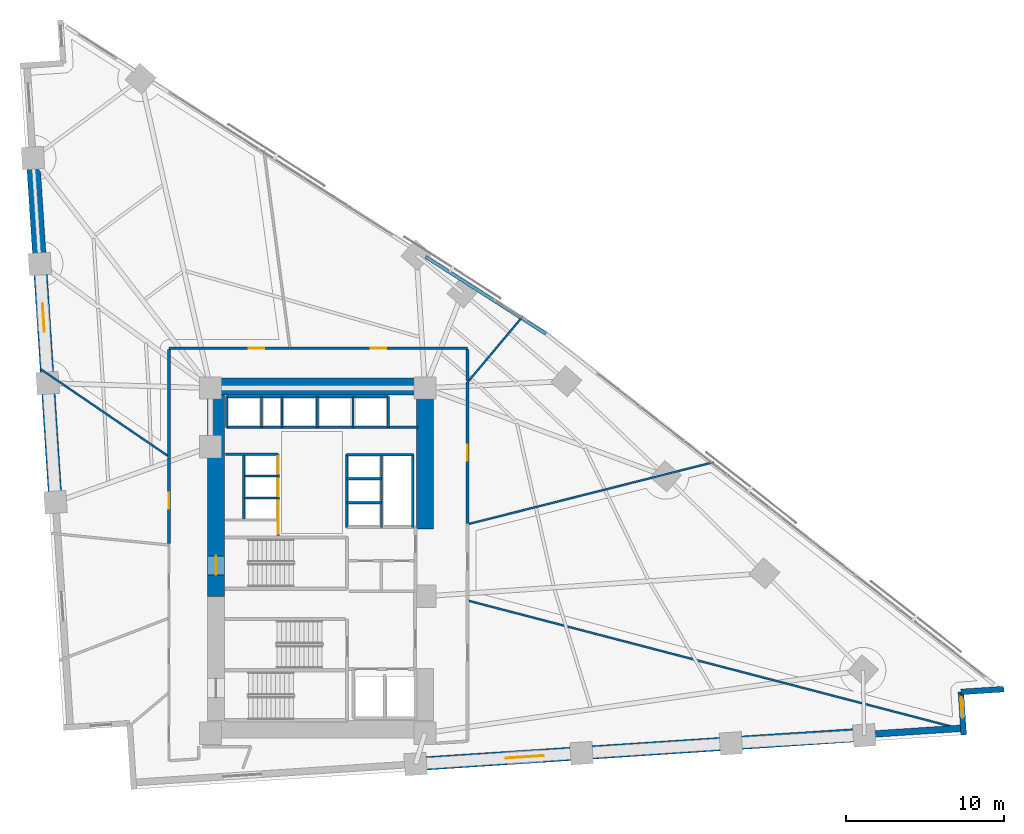
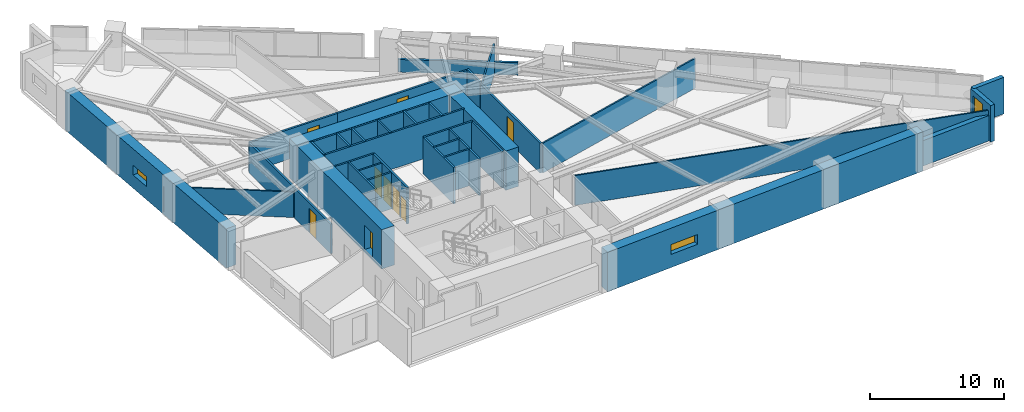
# One storey, part 13 of 16: 39 walls, 9 doors, 3 windows, 12 openings.
"""IFC4 building model written with IfcOpenShell, lengths in metres."""

from ifc_helpers import new_model, si_unit, direction, frame, frame_2d, origin, place, context, subcontext, project, spatial, rectangle, extrude, material, layer, layer_set, type_object, element, fill, save


model = new_model("IFC4")

# Units and contexts
model_context = context("Model", 3, precision=1e-05, world=origin(), true_north=direction((0.0, 1.0)))
body_context = subcontext(model_context, "Body", "Model", "MODEL_VIEW")
ifc_project = project(units=[si_unit("LENGTHUNIT", "METRE"), si_unit("AREAUNIT", "SQUARE_METRE"), si_unit("VOLUMEUNIT", "CUBIC_METRE"), si_unit("PLANEANGLEUNIT", "RADIAN"), si_unit("MASSUNIT", "GRAM", prefix="KILO")], contexts=[model_context])

# Site, building, storey
site_placement = place(None, origin())
site = spatial("IfcSite", under=ifc_project, at=site_placement, CompositionType="ELEMENT")
building_placement = place(site_placement, origin())
building = spatial("IfcBuilding", under=site, at=building_placement, Name="Narakoshi Arena Tower", CompositionType="ELEMENT")
storey_placement = place(building_placement, frame((0.0, 0.0, 66.89990234375)))
storey = spatial("IfcBuildingStorey", under=building, at=storey_placement, Name="L17", CompositionType="ELEMENT", Elevation=66.89990234375)

# Wall, opening, door
ifc_material_1 = material(Name="Concrete C60/75", Category="concrete")
ifc_layer_1 = layer(ifc_material_1, 1.10009765625)
ifc_layer_set_1 = layer_set([ifc_layer_1], Name="Concrete C60/75")
wall_type_1 = type_object("IfcWallType", Name="WL-CORE-1100", PredefinedType="SHEAR", material=ifc_layer_set_1)
wall_1_placement = place(storey_placement, frame((72.35009765625, 43.35009765625, -0.260009765625), z_axis=(0.0, 0.0, 1.0), x_axis=(0.0, 1.0, 0.0)))
wall_1 = element("IfcWall", 1, at=wall_1_placement, inside=storey, type_object=wall_type_1, Name="L17 Main Core Shear Wall CW-MN-W", PredefinedType="SHEAR", context=body_context, shape_type="SweptSolid", body=[
    extrude(rectangle(XDim=12.699951171875, YDim=1.10009765625, at=frame_2d((6.35009765625, 0.0))), origin(), (0.0, 0.0, 1.0), 3.60009765625),
])
opening_1_placement = place(wall_1_placement, frame((1.35009765625, 0.0, 0.260009765625)))
opening_1 = element("IfcOpeningElement", 2, at=opening_1_placement, cuts=wall_1, Name="Opening D-03", PredefinedType="OPENING", context=body_context, shape_type="SweptSolid", body=[
    extrude(rectangle(XDim=1.199951171875, YDim=2.199951171875, at=frame_2d((0.60009765625, 1.10009765625))), frame((0.0, 0.56005859375, 0.0), z_axis=(0.0, -1.0, 0.0), x_axis=(1.0, 0.0, 0.0)), (0.0, 0.0, 1.0), 1.1201171875),
])
ifc_material_2 = material(Name="Painted galvanized steel", Category="steel")
door_type_1 = type_object("IfcDoorType", Name="DR-STR-1200", OperationType="NOTDEFINED", PredefinedType="USERDEFINED", material=ifc_material_2)
door_1_placement = place(opening_1_placement, frame((1.199951171875, 0.0, 0.0), z_axis=(0.0, 0.0, 1.0), x_axis=(-1.0, 0.0, 0.0)))
door_1 = element("IfcDoor", 3, at=door_1_placement, inside=storey, type_object=door_type_1, Name="DR-L17-006", ObjectType="EXITDOOR", OperationType="SINGLE_SWING_LEFT", OverallHeight=2.199951171875, OverallWidth=1.199951171875, PredefinedType="USERDEFINED", context=body_context, shape_type="SweptSolid", body=[
    extrude(rectangle(XDim=1.199951171875, YDim=2.199951171875, at=frame_2d((0.60009765625, 1.10009765625))), frame((0.0, 0.02490234375, 0.0), z_axis=(0.0, -1.0, 0.0), x_axis=(1.0, 0.0, 0.0)), (0.0, 0.0, 1.0), 0.050048828125),
])
fill(opening_1, door_1)

# Walls
wall_2_placement = place(storey_placement, frame((71.800048828125, 56.60009765625, -0.260009765625), z_axis=(0.0, 0.0, 1.0), x_axis=(1.0, 0.0, 0.0)))
element("IfcWall", 4, at=wall_2_placement, inside=storey, type_object=wall_type_1, Name="L17 Main Core Shear Wall CW-MN-N", PredefinedType="SHEAR", context=body_context, shape_type="SweptSolid", body=[
    extrude(rectangle(XDim=14.300048828125, YDim=1.10009765625, at=frame_2d((7.14990234375, 0.0))), origin(), (0.0, 0.0, 1.0), 3.60009765625),
])
wall_3_placement = place(storey_placement, frame((85.550048828125, 47.60009765625, -0.260009765625), z_axis=(0.0, 0.0, 1.0), x_axis=(0.0, 1.0, 0.0)))
element("IfcWall", 5, at=wall_3_placement, inside=storey, type_object=wall_type_1, Name="L17 Main Core Shear Wall CW-MN-E", PredefinedType="SHEAR", context=body_context, shape_type="SweptSolid", body=[
    extrude(rectangle(XDim=8.449951171875, YDim=1.10009765625, at=frame_2d((4.22509765625, 0.0))), origin(), (0.0, 0.0, 1.0), 3.60009765625),
])

# Wall, opening, door
ifc_material_3 = material(Name="Gypsum plasterboard fire-rated partition")
ifc_layer_2 = layer(ifc_material_3, 0.1650390625)
ifc_layer_set_2 = layer_set([ifc_layer_2], Name="Gypsum plasterboard fire-rated partition")
wall_type_2 = type_object("IfcWallType", Name="WL-CORR-165", PredefinedType="PARTITIONING", material=ifc_layer_set_2)
wall_4_placement = place(storey_placement, frame((88.237548828125, 47.956787109375, 0.0), z_axis=(0.0, 0.0, 1.0), x_axis=(0.0, 1.0, 0.0)))
wall_4 = element("IfcWall", 6, at=wall_4_placement, inside=storey, type_object=wall_type_2, Name="L17 Corridor Partition 06-1", PredefinedType="PARTITIONING", context=body_context, shape_type="SweptSolid", body=[
    extrude(rectangle(XDim=8.931640625, YDim=0.1650390625, at=frame_2d((4.4658203125, 0.0))), origin(), (0.0, 0.0, 1.0), 2.72509765625),
])
opening_2_placement = place(wall_4_placement, frame((3.9658203125, 0.0, 0.0)))
opening_2 = element("IfcOpeningElement", 7, at=opening_2_placement, cuts=wall_4, Name="Opening D-06", PredefinedType="OPENING", context=body_context, shape_type="SweptSolid", body=[
    extrude(rectangle(XDim=1.0, YDim=2.199951171875, at=frame_2d((0.5, 1.10009765625))), frame((0.0, 0.092529296875, 0.0), z_axis=(0.0, -1.0, 0.0), x_axis=(1.0, 0.0, 0.0)), (0.0, 0.0, 1.0), 0.18505859375),
])
ifc_material_4 = material(Name="Stained oak solid-core timber", Category="wood")
door_type_2 = type_object("IfcDoorType", Name="DR-OFF-1000", OperationType="NOTDEFINED", PredefinedType="DOOR", material=ifc_material_4)
door_2_placement = place(opening_2_placement, frame((1.0, 0.0, 0.0), z_axis=(0.0, 0.0, 1.0), x_axis=(-1.0, 0.0, 0.0)))
door_2 = element("IfcDoor", 8, at=door_2_placement, inside=storey, type_object=door_type_2, Name="DR-L17-019", OperationType="SINGLE_SWING_RIGHT", OverallHeight=2.199951171875, OverallWidth=1.0, PredefinedType="DOOR", context=body_context, shape_type="SweptSolid", body=[
    extrude(rectangle(XDim=1.0, YDim=2.199951171875, at=frame_2d((0.5, 1.10009765625))), frame((0.0, 0.02490234375, 0.0), z_axis=(0.0, -1.0, 0.0), x_axis=(1.0, 0.0, 0.0)), (0.0, 0.0, 1.0), 0.050048828125),
])
fill(opening_2, door_2)

wall_5_placement = place(storey_placement, frame((88.237548828125, 59.02001953125, 0.0), z_axis=(0.0, 0.0, 1.0), x_axis=(-1.0, 0.0, 0.0)))
wall_5 = element("IfcWall", 9, at=wall_5_placement, inside=storey, type_object=wall_type_2, Name="L17 Corridor Partition 07-1", PredefinedType="PARTITIONING", context=body_context, shape_type="SweptSolid", body=[
    extrude(rectangle(XDim=11.251953125, YDim=0.1650390625, at=frame_2d((5.6259765625, 0.0))), origin(), (0.0, 0.0, 1.0), 2.72509765625),
])
opening_3_placement = place(wall_5_placement, frame((5.1259765625, 0.0, 0.0)))
opening_3 = element("IfcOpeningElement", 10, at=opening_3_placement, cuts=wall_5, Name="Opening D-06", PredefinedType="OPENING", context=body_context, shape_type="SweptSolid", body=[
    extrude(rectangle(XDim=1.0, YDim=2.199951171875, at=frame_2d((0.5, 1.10009765625))), frame((0.0, 0.092529296875, 0.0), z_axis=(0.0, -1.0, 0.0), x_axis=(1.0, 0.0, 0.0)), (0.0, 0.0, 1.0), 0.18505859375),
])
door_3_placement = place(opening_3_placement, frame((1.0, 0.0, 0.0), z_axis=(0.0, 0.0, 1.0), x_axis=(-1.0, 0.0, 0.0)))
door_3 = element("IfcDoor", 11, at=door_3_placement, inside=storey, type_object=door_type_2, Name="DR-L17-020", OperationType="SINGLE_SWING_LEFT", OverallHeight=2.199951171875, OverallWidth=1.0, PredefinedType="DOOR", context=body_context, shape_type="SweptSolid", body=[
    extrude(rectangle(XDim=1.0, YDim=2.199951171875, at=frame_2d((0.5, 1.10009765625))), frame((0.0, 0.02490234375, 0.0), z_axis=(0.0, -1.0, 0.0), x_axis=(1.0, 0.0, 0.0)), (0.0, 0.0, 1.0), 0.050048828125),
])
fill(opening_3, door_3)

# Wall
wall_6_placement = place(storey_placement, frame((88.237548828125, 56.981689453125, 0.0), z_axis=(0.0, 0.0, 1.0), x_axis=(0.0, 1.0, 0.0)))
element("IfcWall", 12, at=wall_6_placement, inside=storey, type_object=wall_type_2, Name="L17 Corridor Partition 07-2", PredefinedType="PARTITIONING", context=body_context, shape_type="SweptSolid", body=[
    extrude(rectangle(XDim=1.94384765625, YDim=0.1650390625, at=frame_2d((0.971923828125, 0.0))), origin(), (0.0, 0.0, 1.0), 2.875),
])

# Wall, opening, door
wall_7_placement = place(storey_placement, frame((76.96142578125, 59.02001953125, 0.0), z_axis=(0.0, 0.0, 1.0), x_axis=(-1.0, 0.0, 0.0)))
wall_7 = element("IfcWall", 13, at=wall_7_placement, inside=storey, type_object=wall_type_2, Name="L17 Corridor Partition 08-1", PredefinedType="PARTITIONING", context=body_context, shape_type="SweptSolid", body=[
    extrude(rectangle(XDim=7.58154296875, YDim=0.1650390625, at=frame_2d((3.790771484375, 0.0))), origin(), (0.0, 0.0, 1.0), 2.72509765625),
])
opening_4_placement = place(wall_7_placement, frame((1.559814453125, 0.0, 0.0)))
opening_4 = element("IfcOpeningElement", 14, at=opening_4_placement, cuts=wall_7, Name="Opening D-06", PredefinedType="OPENING", context=body_context, shape_type="SweptSolid", body=[
    extrude(rectangle(XDim=1.0, YDim=2.199951171875, at=frame_2d((0.5, 1.10009765625))), frame((0.0, 0.092529296875, 0.0), z_axis=(0.0, -1.0, 0.0), x_axis=(1.0, 0.0, 0.0)), (0.0, 0.0, 1.0), 0.18505859375),
])
door_4_placement = place(opening_4_placement, frame((1.0, 0.0, 0.0), z_axis=(0.0, 0.0, 1.0), x_axis=(-1.0, 0.0, 0.0)))
door_4 = element("IfcDoor", 15, at=door_4_placement, inside=storey, type_object=door_type_2, Name="DR-L17-021", OperationType="SINGLE_SWING_RIGHT", OverallHeight=2.199951171875, OverallWidth=1.0, PredefinedType="DOOR", context=body_context, shape_type="SweptSolid", body=[
    extrude(rectangle(XDim=1.0, YDim=2.199951171875, at=frame_2d((0.5, 1.10009765625))), frame((0.0, 0.02490234375, 0.0), z_axis=(0.0, -1.0, 0.0), x_axis=(1.0, 0.0, 0.0)), (0.0, 0.0, 1.0), 0.050048828125),
])
fill(opening_4, door_4)

# Wall
wall_8_placement = place(storey_placement, frame((69.3798828125, 58.925537109375, 0.0), z_axis=(0.0, 0.0, 1.0), x_axis=(0.0, -1.0, 0.0)))
element("IfcWall", 16, at=wall_8_placement, inside=storey, type_object=wall_type_2, Name="L17 Corridor Partition 08-2", PredefinedType="PARTITIONING", context=body_context, shape_type="SweptSolid", body=[
    extrude(rectangle(XDim=6.800537109375, YDim=0.1650390625, at=frame_2d((3.400390625, 0.0))), origin(), (0.0, 0.0, 1.0), 2.72509765625),
])

# Wall, opening, door
wall_9_placement = place(storey_placement, frame((69.3798828125, 52.095947265625, 0.0), z_axis=(0.0, 0.0, 1.0), x_axis=(0.0, -1.0, 0.0)))
wall_9 = element("IfcWall", 17, at=wall_9_placement, inside=storey, type_object=wall_type_2, Name="L17 Corridor Partition 09-1", PredefinedType="PARTITIONING", context=body_context, shape_type="SweptSolid", body=[
    extrude(rectangle(XDim=5.424560546875, YDim=0.1650390625, at=frame_2d((2.71240234375, 0.0))), origin(), (0.0, 0.0, 1.0), 2.72509765625),
])
opening_5_placement = place(wall_9_placement, frame((2.21240234375, 0.0, 0.0)))
opening_5 = element("IfcOpeningElement", 18, at=opening_5_placement, cuts=wall_9, Name="Opening D-06", PredefinedType="OPENING", context=body_context, shape_type="SweptSolid", body=[
    extrude(rectangle(XDim=1.0, YDim=2.199951171875, at=frame_2d((0.5, 1.10009765625))), frame((0.0, 0.092529296875, 0.0), z_axis=(0.0, -1.0, 0.0), x_axis=(1.0, 0.0, 0.0)), (0.0, 0.0, 1.0), 0.18505859375),
])
door_5_placement = place(opening_5_placement, frame((1.0, 0.0, 0.0), z_axis=(0.0, 0.0, 1.0), x_axis=(-1.0, 0.0, 0.0)))
door_5 = element("IfcDoor", 19, at=door_5_placement, inside=storey, type_object=door_type_2, Name="DR-L17-022", OperationType="SINGLE_SWING_LEFT", OverallHeight=2.199951171875, OverallWidth=1.0, PredefinedType="DOOR", context=body_context, shape_type="SweptSolid", body=[
    extrude(rectangle(XDim=1.0, YDim=2.199951171875, at=frame_2d((0.5, 1.10009765625))), frame((0.0, 0.02490234375, 0.0), z_axis=(0.0, -1.0, 0.0), x_axis=(1.0, 0.0, 0.0)), (0.0, 0.0, 1.0), 0.050048828125),
])
fill(opening_5, door_5)

# Wall, opening, window
ifc_layer_3 = layer(ifc_material_1, 0.85009765625)
ifc_layer_set_3 = layer_set([ifc_layer_3], Name="Concrete C60/75")
wall_type_3 = type_object("IfcWallType", Name="WL-LEG-850", PredefinedType="SHEAR", material=ifc_layer_set_3)
wall_10_placement = place(storey_placement, frame((84.95703125, 32.7509765625, -0.260009765625), z_axis=(0.0, 0.0, 1.0), x_axis=(0.997859046449, 0.065401249368, 0.0)))
wall_10 = element("IfcWall", 20, at=wall_10_placement, inside=storey, type_object=wall_type_3, Name="L17 Architectural Concrete Structural Wall LEGA-2", PredefinedType="SHEAR", context=body_context, shape_type="SweptSolid", body=[
    extrude(rectangle(XDim=28.400390625, YDim=0.85009765625, at=frame_2d((14.2001953125, 0.0))), origin(), (0.0, 0.0, 1.0), 3.60009765625),
])
opening_6_placement = place(wall_10_placement, frame((5.699951171875, 0.0, 1.199951171875)))
opening_6 = element("IfcOpeningElement", 21, at=opening_6_placement, cuts=wall_10, Name="Opening WN-01", PredefinedType="OPENING", context=body_context, shape_type="SweptSolid", body=[
    extrude(rectangle(XDim=2.39990234375, YDim=0.89990234375, at=frame_2d((1.199951171875, 0.449951171875))), frame((0.0, 0.43505859375, 0.0), z_axis=(0.0, -1.0, 0.0), x_axis=(1.0, 0.0, 0.0)), (0.0, 0.0, 1.0), 0.8701171875),
])
ifc_material_5 = material(Name="Bronze-tinted low-E laminated glass", Category="glass")
window_type_1 = type_object("IfcWindowType", Name="WIN-SLT-24x09", PartitioningType="SINGLE_PANEL", PredefinedType="WINDOW", material=ifc_material_5)
window_1_placement = place(opening_6_placement, origin())
window_1 = element("IfcWindow", 22, at=window_1_placement, inside=storey, type_object=window_type_1, Name="L17 LEGA2 Horizontal Slot Window 1", OverallHeight=0.89990234375, OverallWidth=2.39990234375, PartitioningType="SINGLE_PANEL", PredefinedType="WINDOW", context=body_context, shape_type="SweptSolid", body=[
    extrude(rectangle(XDim=2.39990234375, YDim=0.89990234375, at=frame_2d((1.199951171875, 0.449951171875))), frame((0.0, 0.030029296875, 0.0), z_axis=(0.0, -1.0, 0.0), x_axis=(1.0, 0.0, 0.0)), (0.0, 0.0, 1.0), 0.06005859375),
])
fill(opening_6, window_1)

wall_11_placement = place(storey_placement, frame((60.785400390625, 71.031005859375, -0.260009765625), z_axis=(0.0, 0.0, 1.0), x_axis=(0.065409824833, -0.997858484363, 0.0)))
wall_11 = element("IfcWall", 23, at=wall_11_placement, inside=storey, type_object=wall_type_3, Name="L17 Architectural Concrete Structural Wall LEGB-2", PredefinedType="SHEAR", context=body_context, shape_type="SweptSolid", body=[
    extrude(rectangle(XDim=21.78271484375, YDim=0.85009765625, at=frame_2d((10.891357421875, 0.0))), origin(), (0.0, 0.0, 1.0), 3.60009765625),
])
opening_7_placement = place(wall_11_placement, frame((9.199951171875, 0.0, 1.199951171875)))
opening_7 = element("IfcOpeningElement", 24, at=opening_7_placement, cuts=wall_11, Name="Opening WN-02", PredefinedType="OPENING", context=body_context, shape_type="SweptSolid", body=[
    extrude(rectangle(XDim=1.800048828125, YDim=0.89990234375, at=frame_2d((0.89990234375, 0.449951171875))), frame((0.0, 0.43505859375, 0.0), z_axis=(0.0, -1.0, 0.0), x_axis=(1.0, 0.0, 0.0)), (0.0, 0.0, 1.0), 0.8701171875),
])
window_type_2 = type_object("IfcWindowType", Name="WIN-SLT-18x09", PartitioningType="SINGLE_PANEL", PredefinedType="WINDOW", material=ifc_material_5)
window_2_placement = place(opening_7_placement, origin())
window_2 = element("IfcWindow", 25, at=window_2_placement, inside=storey, type_object=window_type_2, Name="L17 LEGB2 Horizontal Slot Window 1", OverallHeight=0.89990234375, OverallWidth=1.800048828125, PartitioningType="SINGLE_PANEL", PredefinedType="WINDOW", context=body_context, shape_type="SweptSolid", body=[
    extrude(rectangle(XDim=1.800048828125, YDim=0.89990234375, at=frame_2d((0.89990234375, 0.449951171875))), frame((0.0, 0.030029296875, 0.0), z_axis=(0.0, -1.0, 0.0), x_axis=(1.0, 0.0, 0.0)), (0.0, 0.0, 1.0), 0.06005859375),
])
fill(opening_7, window_2)

# Walls
ifc_material_6 = material(Name="Precast concrete C45/55", Category="concrete")
ifc_layer_4 = layer(ifc_material_6, 0.25)
ifc_layer_set_4 = layer_set([ifc_layer_4], Name="Precast concrete C45/55")
wall_type_4 = type_object("IfcWallType", Name="WL-PARA-250", PredefinedType="PARAPET", material=ifc_layer_set_4)
wall_12_placement = place(storey_placement, frame((93.176025390625, 59.93896484375, 0.0), z_axis=(0.0, 0.0, 1.0), x_axis=(-0.842413081081, 0.538832256666, 0.0)))
element("IfcWall", 26, at=wall_12_placement, inside=storey, type_object=wall_type_4, Name="L17 Hypotenuse Sill Upstand Parapet 2-01", PredefinedType="PARAPET", context=body_context, shape_type="SweptSolid", body=[
    extrude(rectangle(XDim=9.010986328125, YDim=0.199951171875, at=frame_2d((4.50537109375, 0.0))), origin(), (0.0, 0.0, 1.0), 1.150146484375),
])
ifc_layer_5 = layer(ifc_material_3, 0.125)
ifc_layer_set_5 = layer_set([ifc_layer_5], Name="Gypsum plasterboard fire-rated partition")
wall_type_5 = type_object("IfcWallType", Name="WL-PART-125", PredefinedType="PARTITIONING", material=ifc_layer_set_5)
wall_13_placement = place(storey_placement, frame((88.33203125, 43.05859375, 0.0), z_axis=(0.0, 0.0, 1.0), x_axis=(0.967710876767, -0.252062807623, 0.0)))
element("IfcWall", 27, at=wall_13_placement, inside=storey, type_object=wall_type_5, Name="L17 Inter-Room Partition 04-05", PredefinedType="PARTITIONING", context=body_context, shape_type="SweptSolid", body=[
    extrude(rectangle(XDim=32.272705078125, YDim=0.125, at=frame_2d((16.13623046875, 0.0))), origin(), (0.0, 0.0, 1.0), 2.72509765625),
])
wall_14_placement = place(storey_placement, frame((88.33203125, 47.920654296875, 0.0), z_axis=(0.0, 0.0, 1.0), x_axis=(0.969598120502, 0.244702849839, 0.0)))
element("IfcWall", 28, at=wall_14_placement, inside=storey, type_object=wall_type_5, Name="L17 Inter-Room Partition 05-06", PredefinedType="PARTITIONING", context=body_context, shape_type="SweptSolid", body=[
    extrude(rectangle(XDim=15.9521484375, YDim=0.125, at=frame_2d((7.97607421875, 0.0))), origin(), (0.0, 0.0, 1.0), 2.72509765625),
])
wall_15_placement = place(storey_placement, frame((88.25634765625, 56.888427734375, 0.0), z_axis=(0.0, 0.0, 1.0), x_axis=(0.64232418619, 0.766433062854, 0.0)))
element("IfcWall", 29, at=wall_15_placement, inside=storey, type_object=wall_type_5, Name="L17 Inter-Room Partition 06-07", PredefinedType="PARTITIONING", context=body_context, shape_type="SweptSolid", body=[
    extrude(rectangle(XDim=5.42529296875, YDim=0.125, at=frame_2d((2.712646484375, 0.0))), origin(), (0.0, 0.0, 1.0), 2.72509765625),
])
wall_16_placement = place(storey_placement, frame((69.285400390625, 52.2333984375, 0.0), z_axis=(0.0, 0.0, 1.0), x_axis=(-0.826236880882, 0.563322835211, 0.0)))
element("IfcWall", 30, at=wall_16_placement, inside=storey, type_object=wall_type_5, Name="L17 Inter-Room Partition 08-09", PredefinedType="PARTITIONING", context=body_context, shape_type="SweptSolid", body=[
    extrude(rectangle(XDim=9.74755859375, YDim=0.125, at=frame_2d((4.873779296875, 0.0))), origin(), (0.0, 0.0, 1.0), 2.3251953125),
])
ifc_layer_6 = layer(ifc_material_6, 0.419921875)
ifc_layer_set_6 = layer_set([ifc_layer_6], Name="Precast concrete C45/55")
wall_type_6 = type_object("IfcWallType", Name="WL-POD-420", PredefinedType="SOLIDWALL", material=ifc_layer_set_6)
wall_17_placement = place(storey_placement, frame((113.296630859375, 34.6083984375, 0.0), z_axis=(0.0, 0.0, 1.0), x_axis=(0.997857907016, 0.065418631945, 0.0)))
element("IfcWall", 31, at=wall_17_placement, inside=storey, type_object=wall_type_6, Name="L17 Architectural Concrete Facade Wall LEGA-3", PredefinedType="SOLIDWALL", context=body_context, shape_type="SweptSolid", body=[
    extrude(rectangle(XDim=6.2734375, YDim=0.419921875, at=frame_2d((3.13671875, 0.0))), origin(), (0.0, 0.0, 1.0), 2.3251953125),
])

# Wall, opening, window
wall_18_placement = place(storey_placement, frame((119.58447265625, 34.594482421875, 0.0), z_axis=(0.0, 0.0, 1.0), x_axis=(-0.065427374496, 0.997857333824, 0.0)))
wall_18 = element("IfcWall", 32, at=wall_18_placement, inside=storey, type_object=wall_type_6, Name="L17 Re-Entrant Corner Notch Wall NTE-1", PredefinedType="SOLIDWALL", context=body_context, shape_type="SweptSolid", body=[
    extrude(rectangle(XDim=2.716552734375, YDim=0.360107421875, at=frame_2d((1.3583984375, 0.0))), origin(), (0.0, 0.0, 1.0), 3.340087890625),
])
opening_8_placement = place(wall_18_placement, frame((1.076416015625, 0.0, 0.449951171875)))
opening_8 = element("IfcOpeningElement", 33, at=opening_8_placement, cuts=wall_18, Name="Opening WN-06", PredefinedType="OPENING", context=body_context, shape_type="SweptSolid", body=[
    extrude(rectangle(XDim=1.300048828125, YDim=2.39990234375, at=frame_2d((0.64990234375, 1.199951171875))), frame((0.0, 0.18994140625, 0.0), z_axis=(0.0, -1.0, 0.0), x_axis=(1.0, 0.0, 0.0)), (0.0, 0.0, 1.0), 0.380126953125),
])
window_type_3 = type_object("IfcWindowType", Name="WIN-NTC-16x24", PartitioningType="SINGLE_PANEL", PredefinedType="WINDOW", material=ifc_material_5)
window_3_placement = place(opening_8_placement, origin())
window_3 = element("IfcWindow", 34, at=window_3_placement, inside=storey, type_object=window_type_3, Name="L17 Corner Notch Window NTE", OverallHeight=2.39990234375, OverallWidth=1.300048828125, PartitioningType="SINGLE_PANEL", PredefinedType="WINDOW", context=body_context, shape_type="SweptSolid", body=[
    extrude(rectangle(XDim=1.300048828125, YDim=2.39990234375, at=frame_2d((0.64990234375, 1.199951171875))), frame((0.0, 0.030029296875, 0.0), z_axis=(0.0, -1.0, 0.0), x_axis=(1.0, 0.0, 0.0)), (0.0, 0.0, 1.0), 0.06005859375),
])
fill(opening_8, window_3)

# Walls
wall_19_placement = place(storey_placement, frame((119.40673828125, 37.30517578125, 0.0), z_axis=(0.0, 0.0, 1.0), x_axis=(0.99785694905, 0.065433242561, 0.0)))
element("IfcWall", 35, at=wall_19_placement, inside=storey, type_object=wall_type_6, Name="L17 Re-Entrant Corner Notch Wall NTE-2", PredefinedType="SOLIDWALL", context=body_context, shape_type="SweptSolid", body=[
    extrude(rectangle(XDim=2.71630859375, YDim=0.360107421875, at=frame_2d((1.358154296875, 0.0))), origin(), (0.0, 0.0, 1.0), 3.340087890625),
])
ifc_material_7 = material(Name="Concrete C40/50", Category="concrete")
ifc_layer_7 = layer(ifc_material_7, 0.280029296875)
ifc_layer_set_7 = layer_set([ifc_layer_7], Name="Concrete C40/50")
wall_type_7 = type_object("IfcWallType", Name="WL-RISER-280", PredefinedType="PLUMBINGWALL", material=ifc_layer_set_7)
for number, where, z_axis, x_axis, name in (
    (36, (74.14990234375, 49.550048828125, 0.0), (0.0, 0.0, 1.0), (1.0, 0.0, 0.0), "L17 Core Wall LR-D1"),
    (37, (74.14990234375, 50.949951171875, 0.0), (0.0, 0.0, 1.0), (1.0, 0.0, 0.0), "L17 Core Wall LR-D2"),
):
    element("IfcWall", number, at=place(storey_placement, frame(where, z_axis=z_axis, x_axis=x_axis)), inside=storey, type_object=wall_type_7, Name=name, PredefinedType="PLUMBINGWALL", context=body_context, shape_type="SweptSolid", body=[
        extrude(rectangle(XDim=2.0400390625, YDim=0.139892578125, at=frame_2d((1.02001953125, 0.0))), origin(), (0.0, 0.0, 1.0), 3.340087890625),
    ])
wall_20_placement = place(storey_placement, frame((74.10009765625, 48.159912109375, 0.0), z_axis=(0.0, 0.0, 1.0), x_axis=(0.0, 1.0, 0.0)))
element("IfcWall", 38, at=wall_20_placement, inside=storey, type_object=wall_type_7, Name="L17 Core Wall LR-W", PredefinedType="PLUMBINGWALL", context=body_context, shape_type="SweptSolid", body=[
    extrude(rectangle(XDim=4.16015625, YDim=0.139892578125, at=frame_2d((2.080078125, 0.0))), origin(), (0.0, 0.0, 1.0), 3.340087890625),
])
for number, where, z_axis, x_axis, name in (
    (39, (80.60009765625, 49.260009765625, 0.0), (0.0, 0.0, 1.0), (1.0, 0.0, 0.0), "L17 Core Wall MR-D1"),
    (40, (80.60009765625, 50.780029296875, 0.0), (0.0, 0.0, 1.0), (1.0, 0.0, 0.0), "L17 Core Wall MR-D2"),
):
    element("IfcWall", number, at=place(storey_placement, frame(where, z_axis=z_axis, x_axis=x_axis)), inside=storey, type_object=wall_type_7, Name=name, PredefinedType="PLUMBINGWALL", context=body_context, shape_type="SweptSolid", body=[
        extrude(rectangle(XDim=2.199951171875, YDim=0.14990234375, at=frame_2d((1.10009765625, 0.0))), origin(), (0.0, 0.0, 1.0), 3.340087890625),
    ])
wall_21_placement = place(storey_placement, frame((82.800048828125, 47.699951171875, 0.0), z_axis=(0.0, 0.0, 1.0), x_axis=(0.0, 1.0, 0.0)))
element("IfcWall", 41, at=wall_21_placement, inside=storey, type_object=wall_type_7, Name="L17 Core Wall MR-E", PredefinedType="PLUMBINGWALL", context=body_context, shape_type="SweptSolid", body=[
    extrude(rectangle(XDim=4.60009765625, YDim=0.14990234375, at=frame_2d((2.300048828125, 0.0))), origin(), (0.0, 0.0, 1.0), 3.340087890625),
])
for number, where, z_axis, x_axis, name in (
    (42, (73.02001953125, 54.02001953125, 0.0), (0.0, 0.0, 1.0), (0.0, 1.0, 0.0), "L17 Core Wall OBS-W"),
    (43, (75.219970703125, 54.02001953125, 0.0), (0.0, 0.0, 1.0), (0.0, 1.0, 0.0), "L17 Core Wall OBS-M"),
):
    element("IfcWall", number, at=place(storey_placement, frame(where, z_axis=z_axis, x_axis=x_axis)), inside=storey, type_object=wall_type_7, Name=name, PredefinedType="PLUMBINGWALL", context=body_context, shape_type="SweptSolid", body=[
        extrude(rectangle(XDim=1.93994140625, YDim=0.14990234375, at=frame_2d((0.969970703125, 0.0))), origin(), (0.0, 0.0, 1.0), 3.340087890625),
    ])
for number, where, z_axis, x_axis, name in (
    (44, (78.75, 54.02001953125, 0.0), (0.0, 0.0, 1.0), (0.0, 1.0, 0.0), "L17 Core Wall HR-D1"),
    (45, (81.0, 54.02001953125, 0.0), (0.0, 0.0, 1.0), (0.0, 1.0, 0.0), "L17 Core Wall HR-D2"),
):
    element("IfcWall", number, at=place(storey_placement, frame(where, z_axis=z_axis, x_axis=x_axis)), inside=storey, type_object=wall_type_7, Name=name, PredefinedType="PLUMBINGWALL", context=body_context, shape_type="SweptSolid", body=[
        extrude(rectangle(XDim=1.9599609375, YDim=0.14990234375, at=frame_2d((0.97998046875, 0.0))), origin(), (0.0, 0.0, 1.0), 3.340087890625),
    ])

# Wall, openings, doors
ifc_material_8 = material(Name="Concrete C50/60", Category="concrete")
ifc_layer_8 = layer(ifc_material_8, 0.35009765625)
ifc_layer_set_8 = layer_set([ifc_layer_8], Name="Concrete C50/60")
wall_type_8 = type_object("IfcWallType", Name="WL-SHAFT-350", PredefinedType="SOLIDWALL", material=ifc_layer_set_8)
wall_22_placement = place(storey_placement, frame((76.280029296875, 47.179931640625, 0.0), z_axis=(0.0, 0.0, 1.0), x_axis=(0.0, 1.0, 0.0)))
wall_22 = element("IfcWall", 46, at=wall_22_placement, inside=storey, type_object=wall_type_8, Name="L17 Core Wall LR-E", PredefinedType="SOLIDWALL", context=body_context, shape_type="SweptSolid", body=[
    extrude(rectangle(XDim=5.14013671875, YDim=0.159912109375, at=frame_2d((2.570068359375, 0.0))), origin(), (0.0, 0.0, 1.0), 3.340087890625),
])
opening_9_placement = place(wall_22_placement, frame((1.10009765625, 0.0, 0.0)))
opening_9 = element("IfcOpeningElement", 47, at=opening_9_placement, cuts=wall_22, Name="Opening LD-01", PredefinedType="OPENING", context=body_context, shape_type="SweptSolid", body=[
    extrude(rectangle(XDim=1.10009765625, YDim=2.25, at=frame_2d((0.550048828125, 1.125))), frame((0.0, 0.08984375, 0.0), z_axis=(0.0, -1.0, 0.0), x_axis=(1.0, 0.0, 0.0)), (0.0, 0.0, 1.0), 0.179931640625),
])
opening_10_placement = place(wall_22_placement, frame((2.5, 0.0, 0.0)))
opening_10 = element("IfcOpeningElement", 48, at=opening_10_placement, cuts=wall_22, Name="Opening LD-01", PredefinedType="OPENING", context=body_context, shape_type="SweptSolid", body=[
    extrude(rectangle(XDim=1.10009765625, YDim=2.25, at=frame_2d((0.550048828125, 1.125))), frame((0.0, 0.08984375, 0.0), z_axis=(0.0, -1.0, 0.0), x_axis=(1.0, 0.0, 0.0)), (0.0, 0.0, 1.0), 0.179931640625),
])
opening_11_placement = place(wall_22_placement, frame((3.89990234375, 0.0, 0.0)))
opening_11 = element("IfcOpeningElement", 49, at=opening_11_placement, cuts=wall_22, Name="Opening LD-01", PredefinedType="OPENING", context=body_context, shape_type="SweptSolid", body=[
    extrude(rectangle(XDim=1.10009765625, YDim=2.25, at=frame_2d((0.550048828125, 1.125))), frame((0.0, 0.08984375, 0.0), z_axis=(0.0, -1.0, 0.0), x_axis=(1.0, 0.0, 0.0)), (0.0, 0.0, 1.0), 0.179931640625),
])
opening_12_placement = place(wall_22_placement, frame((0.1201171875, 0.0, 0.0)))
opening_12 = element("IfcOpeningElement", 50, at=opening_12_placement, cuts=wall_22, Name="Opening D-10", PredefinedType="OPENING", context=body_context, shape_type="SweptSolid", body=[
    extrude(rectangle(XDim=0.85009765625, YDim=2.050048828125, at=frame_2d((0.425048828125, 1.02490234375))), frame((0.0, 0.08984375, 0.0), z_axis=(0.0, -1.0, 0.0), x_axis=(1.0, 0.0, 0.0)), (0.0, 0.0, 1.0), 0.179931640625),
])
ifc_material_9 = material(Name="Brushed bronze stainless steel", Category="steel")
door_type_3 = type_object("IfcDoorType", Name="DR-LFT-1100", OperationType="DOUBLE_DOOR_SLIDING", PredefinedType="DOOR", material=ifc_material_9)
door_6_placement = place(opening_9_placement, origin())
door_6 = element("IfcDoor", 51, at=door_6_placement, inside=storey, type_object=door_type_3, Name="DR-L17-010", OperationType="DOUBLE_DOOR_SLIDING", OverallHeight=2.25, OverallWidth=1.10009765625, PredefinedType="DOOR", context=body_context, shape_type="SweptSolid", body=[
    extrude(rectangle(XDim=1.10009765625, YDim=2.25, at=frame_2d((0.550048828125, 1.125))), frame((0.0, 0.02490234375, 0.0), z_axis=(0.0, -1.0, 0.0), x_axis=(1.0, 0.0, 0.0)), (0.0, 0.0, 1.0), 0.050048828125),
])
fill(opening_9, door_6)
door_7_placement = place(opening_10_placement, origin())
door_7 = element("IfcDoor", 52, at=door_7_placement, inside=storey, type_object=door_type_3, Name="DR-L17-011", OperationType="DOUBLE_DOOR_SLIDING", OverallHeight=2.25, OverallWidth=1.10009765625, PredefinedType="DOOR", context=body_context, shape_type="SweptSolid", body=[
    extrude(rectangle(XDim=1.10009765625, YDim=2.25, at=frame_2d((0.550048828125, 1.125))), frame((0.0, 0.02490234375, 0.0), z_axis=(0.0, -1.0, 0.0), x_axis=(1.0, 0.0, 0.0)), (0.0, 0.0, 1.0), 0.050048828125),
])
fill(opening_10, door_7)
door_8_placement = place(opening_11_placement, origin())
door_8 = element("IfcDoor", 53, at=door_8_placement, inside=storey, type_object=door_type_3, Name="DR-L17-012", OperationType="DOUBLE_DOOR_SLIDING", OverallHeight=2.25, OverallWidth=1.10009765625, PredefinedType="DOOR", context=body_context, shape_type="SweptSolid", body=[
    extrude(rectangle(XDim=1.10009765625, YDim=2.25, at=frame_2d((0.550048828125, 1.125))), frame((0.0, 0.02490234375, 0.0), z_axis=(0.0, -1.0, 0.0), x_axis=(1.0, 0.0, 0.0)), (0.0, 0.0, 1.0), 0.050048828125),
])
fill(opening_11, door_8)
door_type_4 = type_object("IfcDoorType", Name="DR-RSR-850", OperationType="NOTDEFINED", PredefinedType="DOOR", material=ifc_material_2)
door_9_placement = place(opening_12_placement, frame((0.85009765625, 0.0, 0.0), z_axis=(0.0, 0.0, 1.0), x_axis=(-1.0, 0.0, 0.0)))
door_9 = element("IfcDoor", 54, at=door_9_placement, inside=storey, type_object=door_type_4, Name="DR-L17-013", OperationType="SINGLE_SWING_LEFT", OverallHeight=2.050048828125, OverallWidth=0.85009765625, PredefinedType="DOOR", context=body_context, shape_type="SweptSolid", body=[
    extrude(rectangle(XDim=0.85009765625, YDim=2.050048828125, at=frame_2d((0.425048828125, 1.02490234375))), frame((0.0, 0.02490234375, 0.0), z_axis=(0.0, -1.0, 0.0), x_axis=(1.0, 0.0, 0.0)), (0.0, 0.0, 1.0), 0.050048828125),
])
fill(opening_12, door_9)

# Walls
wall_23_placement = place(storey_placement, frame((72.949951171875, 52.320068359375, 0.0), z_axis=(0.0, 0.0, 1.0), x_axis=(1.0, 0.0, 0.0)))
element("IfcWall", 55, at=wall_23_placement, inside=storey, type_object=wall_type_8, Name="L17 Core Wall LR-N", PredefinedType="SOLIDWALL", context=body_context, shape_type="SweptSolid", body=[
    extrude(rectangle(XDim=3.330078125, YDim=0.14990234375, at=frame_2d((1.6650390625, 0.0))), origin(), (0.0, 0.0, 1.0), 3.340087890625),
])
wall_24_placement = place(storey_placement, frame((80.60009765625, 47.699951171875, 0.0), z_axis=(0.0, 0.0, 1.0), x_axis=(0.0, 1.0, 0.0)))
element("IfcWall", 56, at=wall_24_placement, inside=storey, type_object=wall_type_8, Name="L17 Core Wall MR-W", PredefinedType="SOLIDWALL", context=body_context, shape_type="SweptSolid", body=[
    extrude(rectangle(XDim=4.60009765625, YDim=0.159912109375, at=frame_2d((2.300048828125, 0.0))), origin(), (0.0, 0.0, 1.0), 3.340087890625),
])
wall_25_placement = place(storey_placement, frame((80.60009765625, 52.300048828125, 0.0), z_axis=(0.0, 0.0, 1.0), x_axis=(1.0, 0.0, 0.0)))
element("IfcWall", 57, at=wall_25_placement, inside=storey, type_object=wall_type_8, Name="L17 Core Wall MR-N", PredefinedType="SOLIDWALL", context=body_context, shape_type="SweptSolid", body=[
    extrude(rectangle(XDim=4.219970703125, YDim=0.159912109375, at=frame_2d((2.10986328125, 0.0))), origin(), (0.0, 0.0, 1.0), 3.340087890625),
])
wall_26_placement = place(storey_placement, frame((84.780029296875, 47.699951171875, 0.0), z_axis=(0.0, 0.0, 1.0), x_axis=(0.0, 1.0, 0.0)))
element("IfcWall", 58, at=wall_26_placement, inside=storey, type_object=wall_type_8, Name="L17 Core Wall MR-E2", PredefinedType="SOLIDWALL", context=body_context, shape_type="SweptSolid", body=[
    extrude(rectangle(XDim=4.60009765625, YDim=0.159912109375, at=frame_2d((2.300048828125, 0.0))), origin(), (0.0, 0.0, 1.0), 3.340087890625),
])
wall_27_placement = place(storey_placement, frame((73.02001953125, 54.02001953125, 0.0), z_axis=(0.0, 0.0, 1.0), x_axis=(1.0, 0.0, 0.0)))
element("IfcWall", 59, at=wall_27_placement, inside=storey, type_object=wall_type_8, Name="L17 Core Wall NSHF-S", PredefinedType="SOLIDWALL", context=body_context, shape_type="SweptSolid", body=[
    extrude(rectangle(XDim=12.080078125, YDim=0.159912109375, at=frame_2d((6.0400390625, 0.0))), origin(), (0.0, 0.0, 1.0), 3.340087890625),
])
wall_28_placement = place(storey_placement, frame((73.02001953125, 55.9599609375, 0.0), z_axis=(0.0, 0.0, 1.0), x_axis=(1.0, 0.0, 0.0)))
element("IfcWall", 60, at=wall_28_placement, inside=storey, type_object=wall_type_8, Name="L17 Core Wall OBS-N", PredefinedType="SOLIDWALL", context=body_context, shape_type="SweptSolid", body=[
    extrude(rectangle(XDim=3.5, YDim=0.14990234375, at=frame_2d((1.75, 0.0))), origin(), (0.0, 0.0, 1.0), 3.340087890625),
])
wall_29_placement = place(storey_placement, frame((76.52001953125, 54.02001953125, 0.0), z_axis=(0.0, 0.0, 1.0), x_axis=(0.0, 1.0, 0.0)))
element("IfcWall", 61, at=wall_29_placement, inside=storey, type_object=wall_type_8, Name="L17 Core Wall OBS-E", PredefinedType="SOLIDWALL", context=body_context, shape_type="SweptSolid", body=[
    extrude(rectangle(XDim=1.93994140625, YDim=0.14990234375, at=frame_2d((0.969970703125, 0.0))), origin(), (0.0, 0.0, 1.0), 3.340087890625),
])
wall_30_placement = place(storey_placement, frame((83.219970703125, 54.02001953125, 0.0), z_axis=(0.0, 0.0, 1.0), x_axis=(0.0, 1.0, 0.0)))
element("IfcWall", 62, at=wall_30_placement, inside=storey, type_object=wall_type_8, Name="L17 Core Wall HR-E", PredefinedType="SOLIDWALL", context=body_context, shape_type="SweptSolid", body=[
    extrude(rectangle(XDim=1.9599609375, YDim=0.14990234375, at=frame_2d((0.97998046875, 0.0))), origin(), (0.0, 0.0, 1.0), 3.340087890625),
])
wall_31_placement = place(storey_placement, frame((76.52001953125, 55.9599609375, 0.0), z_axis=(0.0, 0.0, 1.0), x_axis=(1.0, 0.0, 0.0)))
element("IfcWall", 63, at=wall_31_placement, inside=storey, type_object=wall_type_8, Name="L17 Core Wall HR-N", PredefinedType="SOLIDWALL", context=body_context, shape_type="SweptSolid", body=[
    extrude(rectangle(XDim=6.699951171875, YDim=0.14990234375, at=frame_2d((3.35009765625, 0.0))), origin(), (0.0, 0.0, 1.0), 3.340087890625),
])

save(model, "model.ifc")
